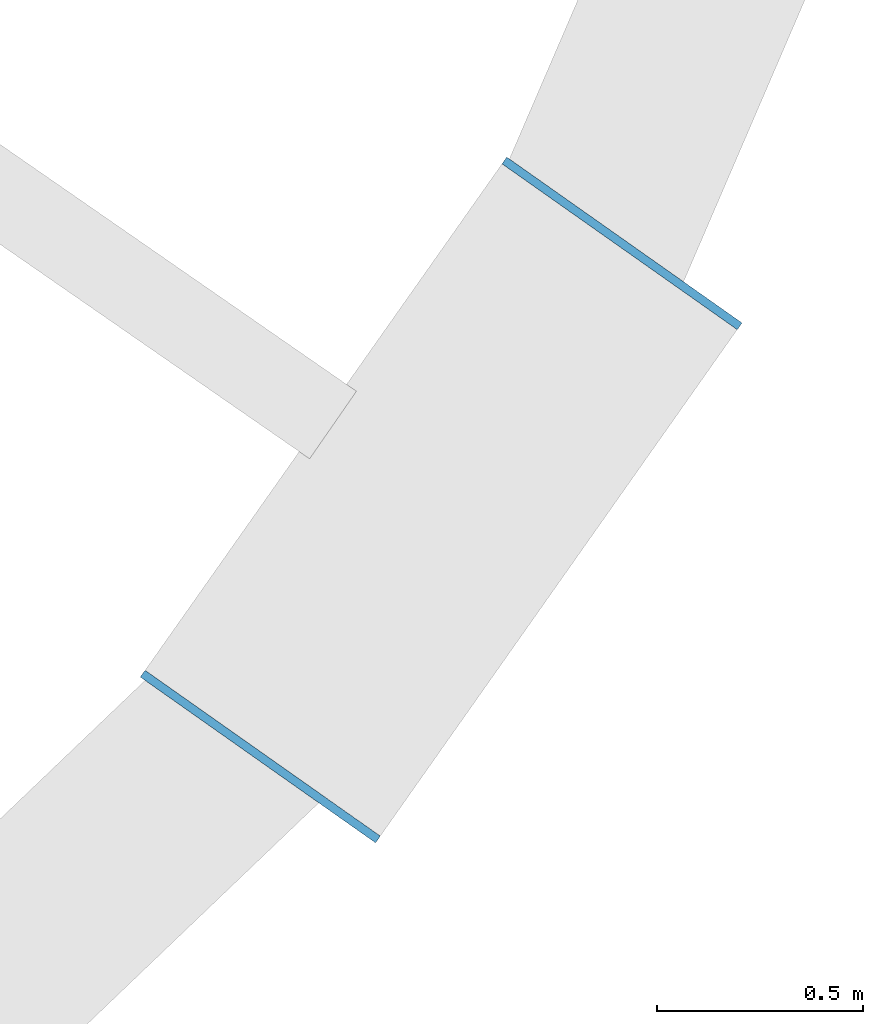
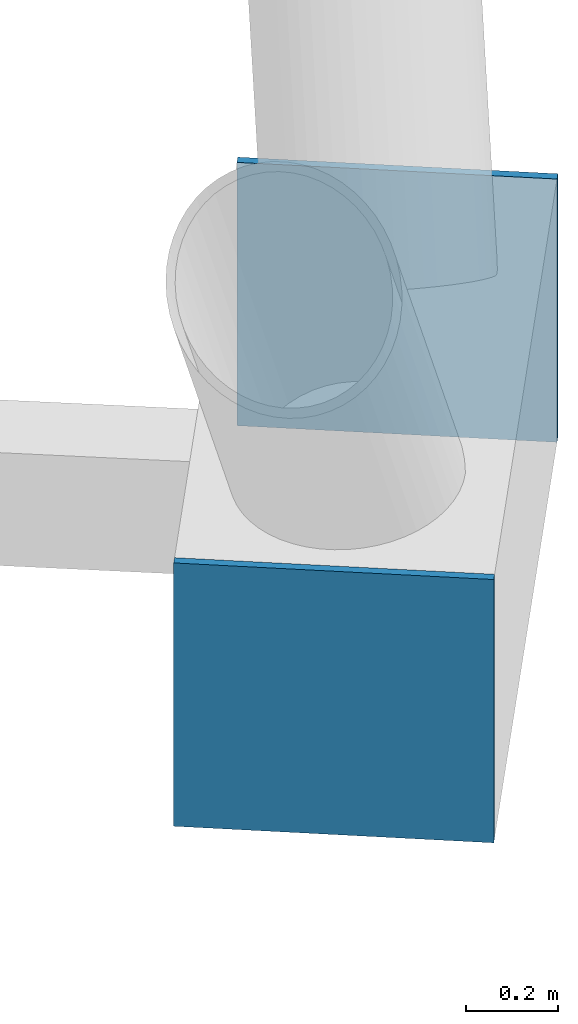
# One storey, part 11 of 21: 2 discrete accessories.
"""IFC4 building model written with IfcOpenShell, lengths in metres."""

from ifc_helpers import new_model, si_unit, direction, frame, origin, origin_2d, place, context, subcontext, project, spatial, rectangle, extrude, material, layer, layer_set, type_object, element, save


model = new_model("IFC4")

# Units and contexts
model_context = context("Model", 3, precision=1e-05, world=origin(), true_north=direction((0.0, 1.0)))
body_context = subcontext(model_context, "Body", "Model", "MODEL_VIEW")
ifc_project = project(units=[si_unit("LENGTHUNIT", "METRE"), si_unit("AREAUNIT", "SQUARE_METRE"), si_unit("VOLUMEUNIT", "CUBIC_METRE"), si_unit("PLANEANGLEUNIT", "RADIAN"), si_unit("MASSUNIT", "GRAM", prefix="KILO")], contexts=[model_context])

# Site, building, storey
site_placement = place(None, origin())
site = spatial("IfcSite", under=ifc_project, at=site_placement, CompositionType="ELEMENT")
building_placement = place(site_placement, origin())
building = spatial("IfcBuilding", under=site, at=building_placement, Name="Siaravel Broadcast Tower", CompositionType="ELEMENT")
storey_placement = place(building_placement, frame((0.0, 0.0, 70.39990234375)))
storey = spatial("IfcBuildingStorey", under=building, at=storey_placement, Name="L16", CompositionType="ELEMENT", Elevation=70.39990234375)

# Discrete accessories
ifc_material = material(Name="Steel S355", Category="steel")
ifc_layer = layer(ifc_material, 0.02001953125)
ifc_layer_set = layer_set([ifc_layer], Name="Steel S355")
discrete_accessory_type = type_object("IfcDiscreteAccessoryType", Name="Steel end plate 20 mm", PredefinedType="USERDEFINED", material=ifc_layer_set)
for number, where, z_axis, x_axis, name in (
    (1, (26.20556640625, -12.053955078125, -0.5498046875), (0.0, 0.0, 1.0), (0.576119939, 0.817365167, 0.0), "End plate R07 station 66A"),
    (2, (25.325927734375, -13.302001953125, -0.5498046875), (0.0, 0.0, 1.0), (0.576119939, 0.817365167, 0.0), "End plate R07 station 66B"),
):
    element("IfcDiscreteAccessory", number, at=place(storey_placement, frame(where, z_axis=z_axis, x_axis=x_axis)), inside=storey, type_object=discrete_accessory_type, Name=name, ObjectType="END PLATE", PredefinedType="USERDEFINED", context=body_context, shape_type="SweptSolid", body=[
        extrude(rectangle(XDim=0.02001953125, YDim=0.699951171875, at=origin_2d()), origin(), (0.0, 0.0, 1.0), 0.699951171875),
    ])

save(model, "model.ifc")
